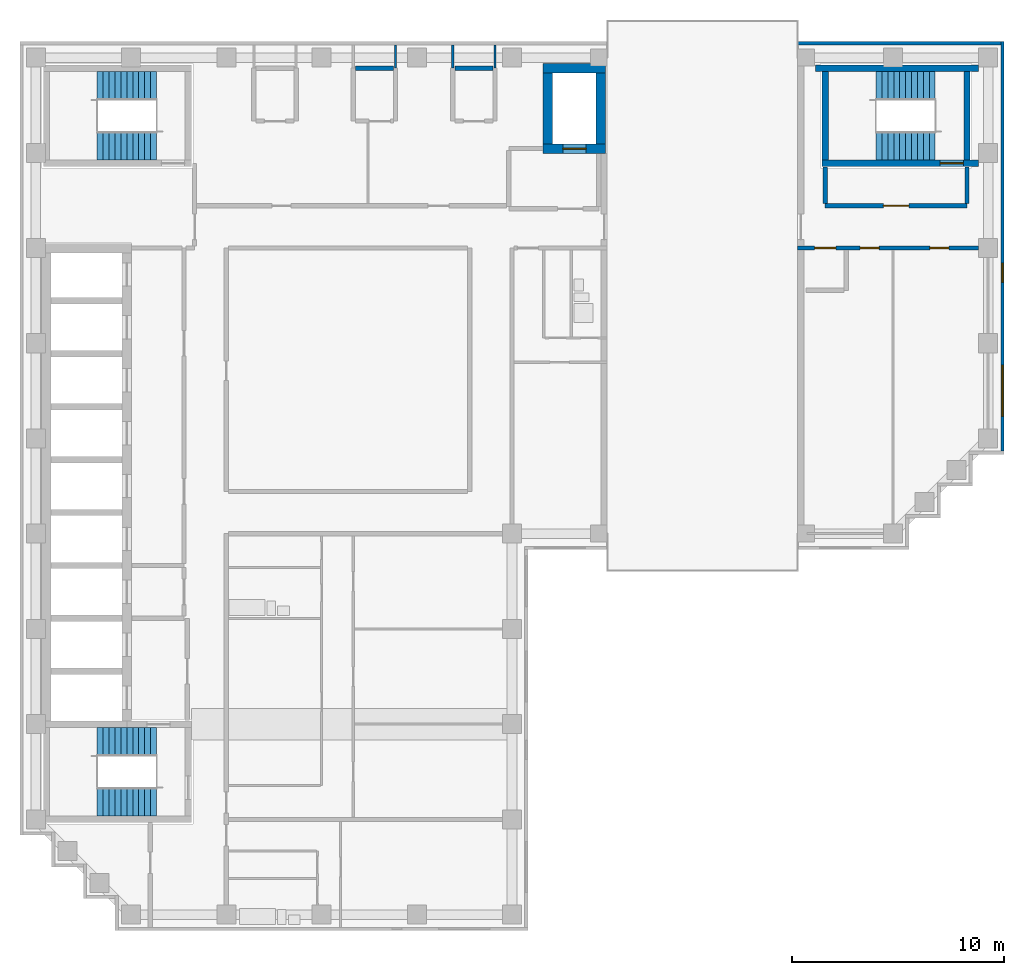
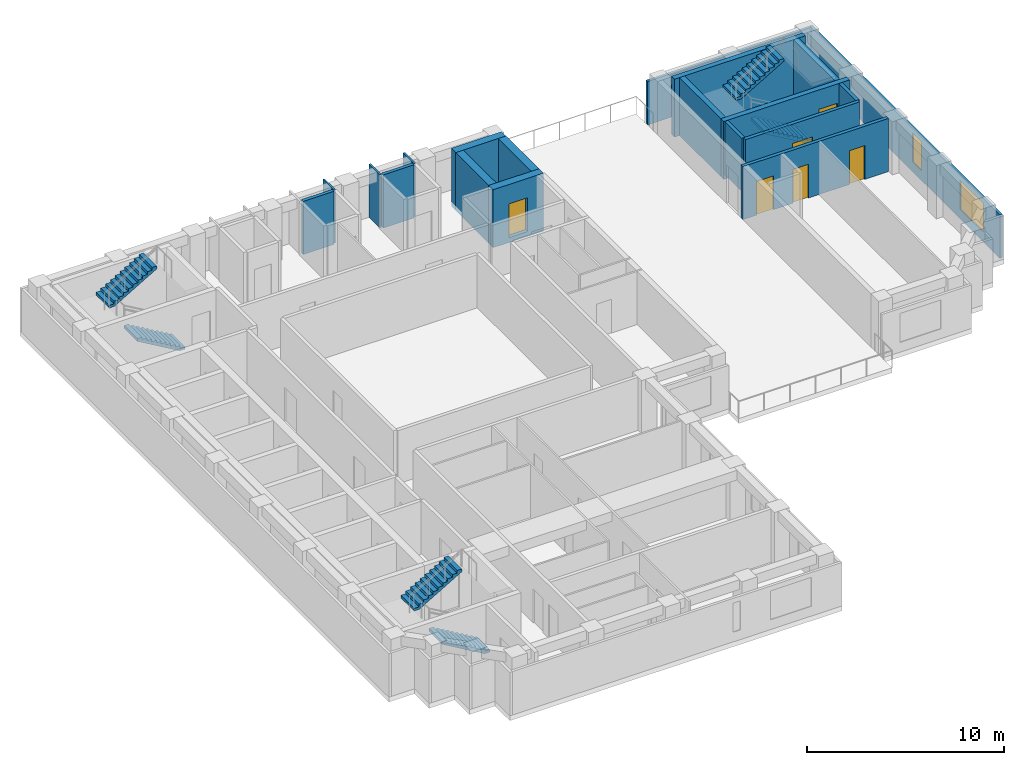
# One storey, part 5 of 7: 19 walls, 6 doors, 6 stair flights, 2 windows, 8 openings, 3 elements without a shape of their own.
"""IFC4 building model written with IfcOpenShell, lengths in metres."""

from ifc_helpers import new_model, si_unit, direction, frame, frame_2d, origin, place, context, subcontext, project, spatial, polyline, rectangle, outline, extrude, material, layer, layer_set, type_object, element, fill, aggregate, save


model = new_model("IFC4")

# Units and contexts
model_context = context("Model", 3, precision=1e-05, world=origin(), true_north=direction((0.0, 1.0)))
body_context = subcontext(model_context, "Body", "Model", "MODEL_VIEW")
ifc_project = project(units=[si_unit("LENGTHUNIT", "METRE"), si_unit("AREAUNIT", "SQUARE_METRE"), si_unit("VOLUMEUNIT", "CUBIC_METRE"), si_unit("PLANEANGLEUNIT", "RADIAN"), si_unit("MASSUNIT", "GRAM", prefix="KILO")], contexts=[model_context])

# Site, building, storey
site_placement = place(None, origin())
site = spatial("IfcSite", under=ifc_project, at=site_placement, CompositionType="ELEMENT")
building_placement = place(site_placement, origin())
building = spatial("IfcBuilding", under=site, at=building_placement, Name="Firuza Court", CompositionType="ELEMENT")
storey_placement = place(building_placement, frame((0.0, 0.0, 240.199951171875)))
storey = spatial("IfcBuildingStorey", under=building, at=storey_placement, Name="L62", CompositionType="ELEMENT", Elevation=240.199951171875)

# Wall
ifc_material_1 = material(Name="Concrete C50/60", Category="concrete")
ifc_layer_1 = layer(ifc_material_1, 0.300048828125)
ifc_layer_set_1 = layer_set([ifc_layer_1], Name="Concrete C50/60")
wall_type_1 = type_object("IfcWallType", Name="Core wall 300 C50/60", PredefinedType="SHEAR", material=ifc_layer_set_1)
wall_1_placement = place(storey_placement, frame((36.85009765625, 58.0, -0.300048828125), z_axis=(0.0, 0.0, 1.0), x_axis=(1.0, 0.0, 0.0)))
element("IfcWall", 1, at=wall_1_placement, inside=storey, type_object=wall_type_1, Name="Core wall stair L62", PredefinedType="SHEAR", context=body_context, shape_type="SweptSolid", body=[
    extrude(rectangle(XDim=7.699951171875, YDim=0.300048828125, at=frame_2d((3.85009765625, 0.0))), origin(), (0.0, 0.0, 1.0), 3.60009765625),
])

# Wall, opening, door
wall_2_placement = place(storey_placement, frame((37.14990234375, 53.5, -0.300048828125), z_axis=(0.0, 0.0, 1.0), x_axis=(1.0, 0.0, 0.0)))
wall_2 = element("IfcWall", 2, at=wall_2_placement, inside=storey, type_object=wall_type_1, Name="Core wall stair L62", PredefinedType="SHEAR", context=body_context, shape_type="SweptSolid", body=[
    extrude(rectangle(XDim=7.400146484375, YDim=0.300048828125, at=frame_2d((3.7001953125, 0.0))), origin(), (0.0, 0.0, 1.0), 3.60009765625),
])
opening_1_placement = place(wall_2_placement, frame((5.580078125, 0.0, 0.300048828125)))
opening_1 = element("IfcOpeningElement", 3, at=opening_1_placement, cuts=wall_2, Name="Opening D62008", PredefinedType="OPENING", context=body_context, shape_type="SweptSolid", body=[
    extrude(rectangle(XDim=1.10009765625, YDim=2.10009765625, at=frame_2d((0.550048828125, 1.050048828125))), frame((0.0, 0.162109375, 0.0), z_axis=(0.0, -1.0, 0.0), x_axis=(1.0, 0.0, 0.0)), (0.0, 0.0, 1.0), 0.323974609375),
])
ifc_material_2 = material(Name="Timber door leaf in hardwood frame", Category="wood")
door_type_1 = type_object("IfcDoorType", Name="Stair door 1100", OperationType="SINGLE_SWING_LEFT", PredefinedType="DOOR", material=ifc_material_2)
door_1_placement = place(opening_1_placement, origin())
door_1 = element("IfcDoor", 4, at=door_1_placement, inside=storey, type_object=door_type_1, Name="Stair door S1", OperationType="SINGLE_SWING_RIGHT", OverallHeight=2.10009765625, OverallWidth=1.10009765625, PredefinedType="DOOR", context=body_context, shape_type="SweptSolid", body=[
    extrude(rectangle(XDim=1.10009765625, YDim=2.10009765625, at=frame_2d((0.550048828125, 1.050048828125))), frame((0.0, 0.02490234375, 0.0), z_axis=(0.0, -1.0, 0.0), x_axis=(1.0, 0.0, 0.0)), (0.0, 0.0, 1.0), 0.050048828125),
])
fill(opening_1, door_1)

# Walls
for number, where, z_axis, x_axis, name in (
    (5, (37.300048828125, 53.64990234375, -0.300048828125), (0.0, 0.0, 1.0), (0.0, 1.0, 0.0), "Core wall stair L62"),
    (6, (44.0, 53.64990234375, -0.300048828125), (0.0, 0.0, 1.0), (0.0, 1.0, 0.0), "Core wall stair L62"),
):
    element("IfcWall", number, at=place(storey_placement, frame(where, z_axis=z_axis, x_axis=x_axis)), inside=storey, type_object=wall_type_1, Name=name, PredefinedType="SHEAR", context=body_context, shape_type="SweptSolid", body=[
        extrude(rectangle(XDim=4.2001953125, YDim=0.300048828125, at=frame_2d((2.10009765625, 0.0))), origin(), (0.0, 0.0, 1.0), 3.60009765625),
    ])

# Wall, opening, door
ifc_layer_2 = layer(ifc_material_1, 0.449951171875)
ifc_layer_set_2 = layer_set([ifc_layer_2], Name="Concrete C50/60")
wall_type_2 = type_object("IfcWallType", Name="Core wall 450 C50/60", PredefinedType="SHEAR", material=ifc_layer_set_2)
wall_3_placement = place(storey_placement, frame((23.97509765625, 54.199951171875, -0.300048828125), z_axis=(0.0, 0.0, 1.0), x_axis=(1.0, 0.0, 0.0)))
wall_3 = element("IfcWall", 7, at=wall_3_placement, inside=storey, type_object=wall_type_2, Name="Core wall lift shaft L62", PredefinedType="SHEAR", context=body_context, shape_type="SweptSolid", body=[
    extrude(rectangle(XDim=2.949951171875, YDim=0.449951171875, at=frame_2d((1.47509765625, 0.0))), origin(), (0.0, 0.0, 1.0), 3.60009765625),
])
opening_2_placement = place(wall_3_placement, frame((0.925048828125, 0.0, 0.300048828125)))
opening_2 = element("IfcOpeningElement", 8, at=opening_2_placement, cuts=wall_3, Name="Opening LD-FL3-62", PredefinedType="OPENING", context=body_context, shape_type="SweptSolid", body=[
    extrude(rectangle(XDim=1.10009765625, YDim=2.10009765625, at=frame_2d((0.550048828125, 1.050048828125))), frame((0.0, 0.23681640625, 0.0), z_axis=(0.0, -1.0, 0.0), x_axis=(1.0, 0.0, 0.0)), (0.0, 0.0, 1.0), 0.473876953125),
])
ifc_material_3 = material(Name="Stainless steel 1.4301 door leaf", Category="steel")
door_type_2 = type_object("IfcDoorType", Name="Lift landing door 1100", OperationType="SLIDING_TO_LEFT", PredefinedType="DOOR", material=ifc_material_3)
door_2_placement = place(opening_2_placement, origin())
door_2 = element("IfcDoor", 9, at=door_2_placement, inside=storey, type_object=door_type_2, Name="Landing door FL3", OperationType="SLIDING_TO_LEFT", OverallHeight=2.10009765625, OverallWidth=1.10009765625, PredefinedType="DOOR", context=body_context, shape_type="SweptSolid", body=[
    extrude(rectangle(XDim=1.10009765625, YDim=2.10009765625, at=frame_2d((0.550048828125, 1.050048828125))), frame((0.0, 0.02490234375, 0.0), z_axis=(0.0, -1.0, 0.0), x_axis=(1.0, 0.0, 0.0)), (0.0, 0.0, 1.0), 0.050048828125),
])
fill(opening_2, door_2)

# Walls
wall_4_placement = place(storey_placement, frame((23.97509765625, 58.0, -0.300048828125), z_axis=(0.0, 0.0, 1.0), x_axis=(1.0, 0.0, 0.0)))
element("IfcWall", 10, at=wall_4_placement, inside=storey, type_object=wall_type_2, Name="Core wall lift shaft L62", PredefinedType="SHEAR", context=body_context, shape_type="SweptSolid", body=[
    extrude(rectangle(XDim=2.949951171875, YDim=0.449951171875, at=frame_2d((1.47509765625, 0.0))), origin(), (0.0, 0.0, 1.0), 3.60009765625),
])
for number, where, z_axis, x_axis, name in (
    (11, (24.199951171875, 54.425048828125, -0.300048828125), (0.0, 0.0, 1.0), (0.0, 1.0, 0.0), "Core wall lift shaft L62"),
    (12, (26.699951171875, 54.425048828125, -0.300048828125), (0.0, 0.0, 1.0), (0.0, 1.0, 0.0), "Core wall lift shaft L62"),
):
    element("IfcWall", number, at=place(storey_placement, frame(where, z_axis=z_axis, x_axis=x_axis)), inside=storey, type_object=wall_type_2, Name=name, PredefinedType="SHEAR", context=body_context, shape_type="SweptSolid", body=[
        extrude(rectangle(XDim=3.349853515625, YDim=0.449951171875, at=frame_2d((1.6748046875, 0.0))), origin(), (0.0, 0.0, 1.0), 3.60009765625),
    ])

# Wall, openings, doors
ifc_material_4 = material(Name="Blockwork, plastered both sides", Category="masonry")
ifc_layer_3 = layer(ifc_material_4, 0.199951171875)
ifc_layer_set_3 = layer_set([ifc_layer_3], Name="Blockwork, plastered both sides")
wall_type_3 = type_object("IfcWallType", Name="Corridor wall 200", PredefinedType="PARTITIONING", material=ifc_layer_set_3)
wall_5_placement = place(storey_placement, frame((36.0, 49.5, 0.0), z_axis=(0.0, 0.0, 1.0), x_axis=(1.0, 0.0, 0.0)))
wall_5 = element("IfcWall", 13, at=wall_5_placement, inside=storey, type_object=wall_type_3, Name="Corridor wall 200 L62", PredefinedType="PARTITIONING", context=body_context, shape_type="SweptSolid", body=[
    extrude(rectangle(XDim=8.550048828125, YDim=0.199951171875, at=frame_2d((4.27490234375, 0.0))), origin(), (0.0, 0.0, 1.0), 3.300048828125),
])
opening_3_placement = place(wall_5_placement, frame((2.949951171875, 0.0, 0.0)))
opening_3 = element("IfcOpeningElement", 14, at=opening_3_placement, cuts=wall_5, Name="Opening D62029", PredefinedType="OPENING", context=body_context, shape_type="SweptSolid", body=[
    extrude(rectangle(XDim=0.89990234375, YDim=2.10009765625, at=frame_2d((0.449951171875, 1.050048828125))), frame((0.0, 0.11181640625, 0.0), z_axis=(0.0, -1.0, 0.0), x_axis=(1.0, 0.0, 0.0)), (0.0, 0.0, 1.0), 0.223876953125),
])
opening_4_placement = place(wall_5_placement, frame((6.25, 0.0, 0.0)))
opening_4 = element("IfcOpeningElement", 15, at=opening_4_placement, cuts=wall_5, Name="Opening D62030", PredefinedType="OPENING", context=body_context, shape_type="SweptSolid", body=[
    extrude(rectangle(XDim=0.89990234375, YDim=2.10009765625, at=frame_2d((0.449951171875, 1.050048828125))), frame((0.0, 0.11181640625, 0.0), z_axis=(0.0, -1.0, 0.0), x_axis=(1.0, 0.0, 0.0)), (0.0, 0.0, 1.0), 0.223876953125),
])
opening_5_placement = place(wall_5_placement, frame((0.800048828125, 0.0, 0.0)))
opening_5 = element("IfcOpeningElement", 16, at=opening_5_placement, cuts=wall_5, Name="Opening D62031", PredefinedType="OPENING", context=body_context, shape_type="SweptSolid", body=[
    extrude(rectangle(XDim=1.0, YDim=2.10009765625, at=frame_2d((0.5, 1.050048828125))), frame((0.0, 0.11181640625, 0.0), z_axis=(0.0, -1.0, 0.0), x_axis=(1.0, 0.0, 0.0)), (0.0, 0.0, 1.0), 0.223876953125),
])
ifc_material_5 = material(Name="Timber door leaf in hardwood frame", Category="wood")
door_type_3 = type_object("IfcDoorType", Name="Riser door 1000", OperationType="SINGLE_SWING_LEFT", PredefinedType="DOOR", material=ifc_material_5)
door_3_placement = place(opening_5_placement, frame((1.0, 0.0, 0.0), z_axis=(0.0, 0.0, 1.0), x_axis=(-1.0, 0.0, 0.0)))
door_3 = element("IfcDoor", 17, at=door_3_placement, inside=storey, type_object=door_type_3, Name="Comms riser door", OperationType="SINGLE_SWING_RIGHT", OverallHeight=2.10009765625, OverallWidth=1.0, PredefinedType="DOOR", context=body_context, shape_type="SweptSolid", body=[
    extrude(rectangle(XDim=1.0, YDim=2.10009765625, at=frame_2d((0.5, 1.050048828125))), frame((0.0, 0.02490234375, 0.0), z_axis=(0.0, -1.0, 0.0), x_axis=(1.0, 0.0, 0.0)), (0.0, 0.0, 1.0), 0.050048828125),
])
fill(opening_5, door_3)
ifc_material_6 = material(Name="Timber door leaf in hardwood frame", Category="wood")
door_type_4 = type_object("IfcDoorType", Name="Room door 900 EI 30", OperationType="SINGLE_SWING_LEFT", PredefinedType="DOOR", material=ifc_material_6)
door_4_placement = place(opening_3_placement, origin())
door_4 = element("IfcDoor", 18, at=door_4_placement, inside=storey, type_object=door_type_4, Name="Sky lounge door", OperationType="SINGLE_SWING_LEFT", OverallHeight=2.10009765625, OverallWidth=0.89990234375, PredefinedType="DOOR", context=body_context, shape_type="SweptSolid", body=[
    extrude(rectangle(XDim=0.89990234375, YDim=2.10009765625, at=frame_2d((0.449951171875, 1.050048828125))), frame((0.0, 0.02490234375, 0.0), z_axis=(0.0, -1.0, 0.0), x_axis=(1.0, 0.0, 0.0)), (0.0, 0.0, 1.0), 0.050048828125),
])
fill(opening_3, door_4)
door_5_placement = place(opening_4_placement, frame((0.89990234375, 0.0, 0.0), z_axis=(0.0, 0.0, 1.0), x_axis=(-1.0, 0.0, 0.0)))
door_5 = element("IfcDoor", 19, at=door_5_placement, inside=storey, type_object=door_type_4, Name="Meeting room door", OperationType="SINGLE_SWING_LEFT", OverallHeight=2.10009765625, OverallWidth=0.89990234375, PredefinedType="DOOR", context=body_context, shape_type="SweptSolid", body=[
    extrude(rectangle(XDim=0.89990234375, YDim=2.10009765625, at=frame_2d((0.449951171875, 1.050048828125))), frame((0.0, 0.02490234375, 0.0), z_axis=(0.0, -1.0, 0.0), x_axis=(1.0, 0.0, 0.0)), (0.0, 0.0, 1.0), 0.050048828125),
])
fill(opening_4, door_5)

# Walls
ifc_material_7 = material(Name="Timber stud partition, plasterboard both sides", Category="wood")
ifc_layer_4 = layer(ifc_material_7, 0.10009765625)
ifc_layer_set_4 = layer_set([ifc_layer_4], Name="Timber stud partition, plasterboard both sides")
wall_type_4 = type_object("IfcWallType", Name="Partition wall 100", PredefinedType="PARTITIONING", material=ifc_layer_set_4)
for number, where, z_axis, x_axis, name in (
    (20, (17.0, 58.0, 0.0), (0.0, 0.0, 1.0), (0.0, 1.0, 0.0), "Partition wall 100 L62"),
    (21, (19.699951171875, 58.0, 0.0), (0.0, 0.0, 1.0), (0.0, 1.0, 0.0), "Partition wall 100 L62"),
    (22, (21.699951171875, 58.0, 0.0), (0.0, 0.0, 1.0), (0.0, 1.0, 0.0), "Partition wall 100 L62"),
):
    element("IfcWall", number, at=place(storey_placement, frame(where, z_axis=z_axis, x_axis=x_axis)), inside=storey, type_object=wall_type_4, Name=name, PredefinedType="PARTITIONING", context=body_context, shape_type="SweptSolid", body=[
        extrude(rectangle(XDim=1.10009765625, YDim=0.10009765625, at=frame_2d((0.550048828125, 0.0))), origin(), (0.0, 0.0, 1.0), 3.300048828125),
    ])
ifc_material_8 = material(Name="Blockwork, fire-rated", Category="masonry")
ifc_layer_5 = layer(ifc_material_8, 0.199951171875)
ifc_layer_set_5 = layer_set([ifc_layer_5], Name="Blockwork, fire-rated")
wall_type_5 = type_object("IfcWallType", Name="Plant room wall 200", PredefinedType="PARTITIONING", material=ifc_layer_set_5)
wall_6_placement = place(storey_placement, frame((15.10009765625, 58.0, 0.0), z_axis=(0.0, 0.0, 1.0), x_axis=(1.0, 0.0, 0.0)))
element("IfcWall", 23, at=wall_6_placement, inside=storey, type_object=wall_type_5, Name="Plant room wall 200 L62", PredefinedType="PARTITIONING", context=body_context, shape_type="SweptSolid", body=[
    extrude(rectangle(XDim=1.7998046875, YDim=0.199951171875, at=frame_2d((0.89990234375, 0.0))), origin(), (0.0, 0.0, 1.0), 3.300048828125),
])
wall_7_placement = place(storey_placement, frame((19.800048828125, 58.0, 0.0), z_axis=(0.0, 0.0, 1.0), x_axis=(1.0, 0.0, 0.0)))
element("IfcWall", 24, at=wall_7_placement, inside=storey, type_object=wall_type_5, Name="Plant room wall 200 L62", PredefinedType="PARTITIONING", context=body_context, shape_type="SweptSolid", body=[
    extrude(rectangle(XDim=1.800048828125, YDim=0.199951171875, at=frame_2d((0.89990234375, 0.0))), origin(), (0.0, 0.0, 1.0), 3.300048828125),
])

# Wall, openings, windows
ifc_material_9 = material(Name="Ceramic tile", Category="ceramic")
ifc_layer_6 = layer(ifc_material_9, 0.02001953125)
ifc_material_10 = material(Name="Mineral wool insulation", Category="insulation")
ifc_layer_7 = layer(ifc_material_10, 0.050048828125)
ifc_material_11 = material(Name="Concrete C40/50 precast", Category="concrete")
ifc_layer_8 = layer(ifc_material_11, 0.080078125)
ifc_layer_set_6 = layer_set([ifc_layer_6, ifc_layer_7, ifc_layer_8], Name="Concrete C40/50 precast")
wall_type_6 = type_object("IfcWallType", Name="Precast cladding wall with turquoise TILE PANEL face 150", PredefinedType="STANDARD", material=ifc_layer_set_6)
wall_8_placement = place(storey_placement, frame((45.675048828125, 39.89990234375, 0.0), z_axis=(0.0, 0.0, 1.0), x_axis=(0.0, 1.0, 0.0)))
wall_8 = element("IfcWall", 25, at=wall_8_placement, inside=storey, type_object=wall_type_6, Name="Facade wall L62 E", PredefinedType="STANDARD", context=body_context, shape_type="SweptSolid", body=[
    extrude(rectangle(XDim=19.35009765625, YDim=0.14990234375, at=frame_2d((9.675048828125, 0.0))), origin(), (0.0, 0.0, 1.0), 2.699951171875),
])
opening_6_placement = place(wall_8_placement, frame((1.64990234375, 0.0, 0.60009765625)))
opening_6 = element("IfcOpeningElement", 26, at=opening_6_placement, cuts=wall_8, Name="Opening W1", PredefinedType="OPENING", context=body_context, shape_type="SweptSolid", body=[
    extrude(rectangle(XDim=2.39990234375, YDim=1.800048828125, at=frame_2d((1.199951171875, 0.89990234375))), frame((0.0, 0.0869140625, 0.0), z_axis=(0.0, -1.0, 0.0), x_axis=(1.0, 0.0, 0.0)), (0.0, 0.0, 1.0), 0.173828125),
])
opening_7_placement = place(wall_8_placement, frame((7.975830078125, 0.0, 0.60009765625)))
opening_7 = element("IfcOpeningElement", 27, at=opening_7_placement, cuts=wall_8, Name="Opening W3", PredefinedType="OPENING", context=body_context, shape_type="SweptSolid", body=[
    extrude(rectangle(XDim=0.89990234375, YDim=1.800048828125, at=frame_2d((0.449951171875, 0.89990234375))), frame((0.0, 0.0869140625, 0.0), z_axis=(0.0, -1.0, 0.0), x_axis=(1.0, 0.0, 0.0)), (0.0, 0.0, 1.0), 0.173828125),
])
ifc_material_12 = material(Name="Aluminium frame, triple clear glazing", Category="aluminium")
window_type_1 = type_object("IfcWindowType", Name="Window W1 2400 x 1800", PartitioningType="SINGLE_PANEL", PredefinedType="WINDOW", material=ifc_material_12)
window_1_placement = place(opening_6_placement, origin())
window_1 = element("IfcWindow", 28, at=window_1_placement, inside=storey, type_object=window_type_1, Name="Window L62", OverallHeight=1.800048828125, OverallWidth=2.39990234375, PartitioningType="SINGLE_PANEL", PredefinedType="WINDOW", context=body_context, shape_type="SweptSolid", body=[
    extrude(rectangle(XDim=2.39990234375, YDim=1.800048828125, at=frame_2d((1.199951171875, 0.89990234375))), frame((0.0, 0.030029296875, 0.0), z_axis=(0.0, -1.0, 0.0), x_axis=(1.0, 0.0, 0.0)), (0.0, 0.0, 1.0), 0.06005859375),
])
fill(opening_6, window_1)
ifc_material_13 = material(Name="Aluminium frame, triple clear glazing", Category="aluminium")
window_type_2 = type_object("IfcWindowType", Name="Window W3 900 x 1800", PartitioningType="SINGLE_PANEL", PredefinedType="WINDOW", material=ifc_material_13)
window_2_placement = place(opening_7_placement, origin())
window_2 = element("IfcWindow", 29, at=window_2_placement, inside=storey, type_object=window_type_2, Name="Window L62", OverallHeight=1.800048828125, OverallWidth=0.89990234375, PartitioningType="SINGLE_PANEL", PredefinedType="WINDOW", context=body_context, shape_type="SweptSolid", body=[
    extrude(rectangle(XDim=0.89990234375, YDim=1.800048828125, at=frame_2d((0.449951171875, 0.89990234375))), frame((0.0, 0.030029296875, 0.0), z_axis=(0.0, -1.0, 0.0), x_axis=(1.0, 0.0, 0.0)), (0.0, 0.0, 1.0), 0.06005859375),
])
fill(opening_7, window_2)

# Wall
wall_9_placement = place(storey_placement, frame((45.60009765625, 59.175048828125, 0.0), z_axis=(0.0, 0.0, 1.0), x_axis=(-1.0, 0.0, 0.0)))
element("IfcWall", 30, at=wall_9_placement, inside=storey, type_object=wall_type_6, Name="Facade wall L62 N", PredefinedType="STANDARD", context=body_context, shape_type="SweptSolid", body=[
    extrude(rectangle(XDim=9.60009765625, YDim=0.14990234375, at=frame_2d((4.800048828125, 0.0))), origin(), (0.0, 0.0, 1.0), 2.699951171875),
])

# Wall, opening, door
ifc_layer_9 = layer(ifc_material_8, 0.199951171875)
ifc_layer_set_7 = layer_set([ifc_layer_9], Name="Blockwork, fire-rated")
wall_type_7 = type_object("IfcWallType", Name="Shaft wall 200", PredefinedType="PARTITIONING", material=ifc_layer_set_7)
wall_10_placement = place(storey_placement, frame((37.300048828125, 51.5, 0.0), z_axis=(0.0, 0.0, 1.0), x_axis=(1.0, 0.0, 0.0)))
wall_10 = element("IfcWall", 31, at=wall_10_placement, inside=storey, type_object=wall_type_7, Name="Shaft wall 200 L62", PredefinedType="PARTITIONING", context=body_context, shape_type="SweptSolid", body=[
    extrude(rectangle(XDim=6.699951171875, YDim=0.199951171875, at=frame_2d((3.35009765625, 0.0))), origin(), (0.0, 0.0, 1.0), 3.300048828125),
])
opening_8_placement = place(wall_10_placement, frame((2.75, 0.0, 0.0)))
opening_8 = element("IfcOpeningElement", 32, at=opening_8_placement, cuts=wall_10, Name="Opening D62006", PredefinedType="OPENING", context=body_context, shape_type="SweptSolid", body=[
    extrude(rectangle(XDim=1.199951171875, YDim=2.10009765625, at=frame_2d((0.60009765625, 1.050048828125))), frame((0.0, 0.11181640625, 0.0), z_axis=(0.0, -1.0, 0.0), x_axis=(1.0, 0.0, 0.0)), (0.0, 0.0, 1.0), 0.223876953125),
])
ifc_material_14 = material(Name="Timber door leaf in hardwood frame", Category="wood")
door_type_5 = type_object("IfcDoorType", Name="Lobby door 1200", OperationType="SINGLE_SWING_LEFT", PredefinedType="DOOR", material=ifc_material_14)
door_6_placement = place(opening_8_placement, origin())
door_6 = element("IfcDoor", 33, at=door_6_placement, inside=storey, type_object=door_type_5, Name="Lobby door", OperationType="SINGLE_SWING_LEFT", OverallHeight=2.10009765625, OverallWidth=1.199951171875, PredefinedType="DOOR", context=body_context, shape_type="SweptSolid", body=[
    extrude(rectangle(XDim=1.199951171875, YDim=2.10009765625, at=frame_2d((0.60009765625, 1.050048828125))), frame((0.0, 0.02490234375, 0.0), z_axis=(0.0, -1.0, 0.0), x_axis=(1.0, 0.0, 0.0)), (0.0, 0.0, 1.0), 0.050048828125),
])
fill(opening_8, door_6)

# Walls
for number, where, z_axis, x_axis, name in (
    (34, (44.0, 51.60009765625, 0.0), (0.0, 0.0, 1.0), (0.0, 1.0, 0.0), "Shaft wall 200 L62"),
    (35, (37.300048828125, 51.60009765625, 0.0), (0.0, 0.0, 1.0), (0.0, 1.0, 0.0), "Shaft wall 200 L62"),
):
    element("IfcWall", number, at=place(storey_placement, frame(where, z_axis=z_axis, x_axis=x_axis)), inside=storey, type_object=wall_type_7, Name=name, PredefinedType="PARTITIONING", context=body_context, shape_type="SweptSolid", body=[
        extrude(rectangle(XDim=1.72998046875, YDim=0.199951171875, at=frame_2d((0.864990234375, 0.0))), origin(), (0.0, 0.0, 1.0), 3.300048828125),
    ])

# Stair, stair flights
ifc_material_15 = material(Name="Concrete C40/50 precast", Category="concrete")
stair_type = type_object("IfcStairType", Name="Stair 1350 x 3600 2 flights", PredefinedType="HALF_TURN_STAIR", material=ifc_material_15)
stair_1_placement = place(storey_placement, origin())
stair_1 = element("IfcStair", 36, at=stair_1_placement, inside=storey, type_object=stair_type, Name="Stair 1 L62", PredefinedType="HALF_TURN_STAIR")
ifc_material_16 = material(Name="Concrete C40/50 precast", Category="concrete")
stair_flight_type = type_object("IfcStairFlightType", Name="Flight 1350 riser 163.6", PredefinedType="STRAIGHT", material=ifc_material_16)
stair_flight_1_placement = place(storey_placement, frame((42.5, 54.324951171875, 0.0), z_axis=(0.0, 0.0, 1.0), x_axis=(-1.0, 0.0, 0.0)))
stair_flight_1 = element("IfcStairFlight", 37, at=stair_flight_1_placement, type_object=stair_flight_type, Name="S1 flight 1", NumberOfRisers=11, NumberOfTreads=10, PredefinedType="STRAIGHT", RiserHeight=0.163636364, TreadLength=0.28, context=body_context, shape_type="SweptSolid", body=[
    extrude(outline(polyline([(0.0, 0.0), (0.0, 0.16357421875), (0.280029296875, 0.16357421875), (0.280029296875, 0.327392578125), (0.56005859375, 0.327392578125), (0.56005859375, 0.490966796875), (0.840087890625, 0.490966796875), (0.840087890625, 0.654541015625), (1.1201171875, 0.654541015625), (1.1201171875, 0.818115234375), (1.39990234375, 0.818115234375), (1.39990234375, 0.98193359375), (1.679931640625, 0.98193359375), (1.679931640625, 1.1455078125), (1.9599609375, 1.1455078125), (1.9599609375, 1.30908203125), (2.239990234375, 1.30908203125), (2.239990234375, 1.47265625), (2.52001953125, 1.47265625), (2.52001953125, 1.636474609375), (2.800048828125, 1.636474609375), (2.800048828125, 1.800048828125), (2.800048828125, 1.462646484375), (0.297119140625, 0.0), (0.0, 0.0)])), frame((0.0, 0.675048828125, 0.0), z_axis=(0.0, -1.0, 0.0), x_axis=(1.0, 0.0, 0.0)), (0.0, 0.0, 1.0), 1.35009765625),
])
stair_flight_2_placement = place(storey_placement, frame((39.699951171875, 57.175048828125, 1.800048828125), z_axis=(0.0, 0.0, 1.0), x_axis=(1.0, 0.0, 0.0)))
stair_flight_2 = element("IfcStairFlight", 38, at=stair_flight_2_placement, type_object=stair_flight_type, Name="S1 flight 2", NumberOfRisers=11, NumberOfTreads=10, PredefinedType="STRAIGHT", RiserHeight=0.163636364, TreadLength=0.28, context=body_context, shape_type="SweptSolid", body=[
    extrude(outline(polyline([(0.0, 0.0), (0.0, 0.16357421875), (0.280029296875, 0.16357421875), (0.280029296875, 0.327392578125), (0.56005859375, 0.327392578125), (0.56005859375, 0.490966796875), (0.840087890625, 0.490966796875), (0.840087890625, 0.654541015625), (1.1201171875, 0.654541015625), (1.1201171875, 0.818115234375), (1.39990234375, 0.818115234375), (1.39990234375, 0.98193359375), (1.679931640625, 0.98193359375), (1.679931640625, 1.1455078125), (1.9599609375, 1.1455078125), (1.9599609375, 1.30908203125), (2.239990234375, 1.30908203125), (2.239990234375, 1.47265625), (2.52001953125, 1.47265625), (2.52001953125, 1.636474609375), (2.800048828125, 1.636474609375), (2.800048828125, 1.800048828125), (2.800048828125, 1.462646484375), (0.297119140625, 0.0), (0.0, 0.0)])), frame((0.0, 0.675048828125, 0.0), z_axis=(0.0, -1.0, 0.0), x_axis=(1.0, 0.0, 0.0)), (0.0, 0.0, 1.0), 1.35009765625),
])
aggregate(stair_1, [stair_flight_1, stair_flight_2])

stair_2_placement = place(storey_placement, origin())
stair_2 = element("IfcStair", 39, at=stair_2_placement, inside=storey, type_object=stair_type, Name="Stair 2 L62", PredefinedType="HALF_TURN_STAIR")
stair_flight_3_placement = place(storey_placement, frame((5.699951171875, 23.324951171875, 0.0), z_axis=(0.0, 0.0, 1.0), x_axis=(-1.0, 0.0, 0.0)))
stair_flight_3 = element("IfcStairFlight", 40, at=stair_flight_3_placement, type_object=stair_flight_type, Name="S2 flight 1", NumberOfRisers=11, NumberOfTreads=10, PredefinedType="STRAIGHT", RiserHeight=0.163636364, TreadLength=0.28, context=body_context, shape_type="SweptSolid", body=[
    extrude(outline(polyline([(0.0, 0.0), (0.0, 0.16357421875), (0.280029296875, 0.16357421875), (0.280029296875, 0.327392578125), (0.56005859375, 0.327392578125), (0.56005859375, 0.490966796875), (0.840087890625, 0.490966796875), (0.840087890625, 0.654541015625), (1.1201171875, 0.654541015625), (1.1201171875, 0.818115234375), (1.39990234375, 0.818115234375), (1.39990234375, 0.98193359375), (1.679931640625, 0.98193359375), (1.679931640625, 1.1455078125), (1.9599609375, 1.1455078125), (1.9599609375, 1.30908203125), (2.239990234375, 1.30908203125), (2.239990234375, 1.47265625), (2.52001953125, 1.47265625), (2.52001953125, 1.636474609375), (2.800048828125, 1.636474609375), (2.800048828125, 1.800048828125), (2.800048828125, 1.462646484375), (0.297119140625, 0.0), (0.0, 0.0)])), frame((0.0, 0.675048828125, 0.0), z_axis=(0.0, -1.0, 0.0), x_axis=(1.0, 0.0, 0.0)), (0.0, 0.0, 1.0), 1.35009765625),
])
stair_flight_4_placement = place(storey_placement, frame((2.89990234375, 26.175048828125, 1.800048828125), z_axis=(0.0, 0.0, 1.0), x_axis=(1.0, 0.0, 0.0)))
stair_flight_4 = element("IfcStairFlight", 41, at=stair_flight_4_placement, type_object=stair_flight_type, Name="S2 flight 2", NumberOfRisers=11, NumberOfTreads=10, PredefinedType="STRAIGHT", RiserHeight=0.163636364, TreadLength=0.28, context=body_context, shape_type="SweptSolid", body=[
    extrude(outline(polyline([(0.0, 0.0), (0.0, 0.16357421875), (0.280029296875, 0.16357421875), (0.280029296875, 0.327392578125), (0.56005859375, 0.327392578125), (0.56005859375, 0.490966796875), (0.840087890625, 0.490966796875), (0.840087890625, 0.654541015625), (1.1201171875, 0.654541015625), (1.1201171875, 0.818115234375), (1.39990234375, 0.818115234375), (1.39990234375, 0.98193359375), (1.679931640625, 0.98193359375), (1.679931640625, 1.1455078125), (1.9599609375, 1.1455078125), (1.9599609375, 1.30908203125), (2.239990234375, 1.30908203125), (2.239990234375, 1.47265625), (2.52001953125, 1.47265625), (2.52001953125, 1.636474609375), (2.800048828125, 1.636474609375), (2.800048828125, 1.800048828125), (2.800048828125, 1.462646484375), (0.297119140625, 0.0), (0.0, 0.0)])), frame((0.0, 0.675048828125, 0.0), z_axis=(0.0, -1.0, 0.0), x_axis=(1.0, 0.0, 0.0)), (0.0, 0.0, 1.0), 1.35009765625),
])
aggregate(stair_2, [stair_flight_3, stair_flight_4])

stair_3_placement = place(storey_placement, origin())
stair_3 = element("IfcStair", 42, at=stair_3_placement, inside=storey, type_object=stair_type, Name="Stair 3 L62", PredefinedType="HALF_TURN_STAIR")
stair_flight_5_placement = place(storey_placement, frame((5.699951171875, 54.324951171875, 0.0), z_axis=(0.0, 0.0, 1.0), x_axis=(-1.0, 0.0, 0.0)))
stair_flight_5 = element("IfcStairFlight", 43, at=stair_flight_5_placement, type_object=stair_flight_type, Name="S3 flight 1", NumberOfRisers=11, NumberOfTreads=10, PredefinedType="STRAIGHT", RiserHeight=0.163636364, TreadLength=0.28, context=body_context, shape_type="SweptSolid", body=[
    extrude(outline(polyline([(0.0, 0.0), (0.0, 0.16357421875), (0.280029296875, 0.16357421875), (0.280029296875, 0.327392578125), (0.56005859375, 0.327392578125), (0.56005859375, 0.490966796875), (0.840087890625, 0.490966796875), (0.840087890625, 0.654541015625), (1.1201171875, 0.654541015625), (1.1201171875, 0.818115234375), (1.39990234375, 0.818115234375), (1.39990234375, 0.98193359375), (1.679931640625, 0.98193359375), (1.679931640625, 1.1455078125), (1.9599609375, 1.1455078125), (1.9599609375, 1.30908203125), (2.239990234375, 1.30908203125), (2.239990234375, 1.47265625), (2.52001953125, 1.47265625), (2.52001953125, 1.636474609375), (2.800048828125, 1.636474609375), (2.800048828125, 1.800048828125), (2.800048828125, 1.462646484375), (0.297119140625, 0.0), (0.0, 0.0)])), frame((0.0, 0.675048828125, 0.0), z_axis=(0.0, -1.0, 0.0), x_axis=(1.0, 0.0, 0.0)), (0.0, 0.0, 1.0), 1.35009765625),
])
stair_flight_6_placement = place(storey_placement, frame((2.89990234375, 57.175048828125, 1.800048828125), z_axis=(0.0, 0.0, 1.0), x_axis=(1.0, 0.0, 0.0)))
stair_flight_6 = element("IfcStairFlight", 44, at=stair_flight_6_placement, type_object=stair_flight_type, Name="S3 flight 2", NumberOfRisers=11, NumberOfTreads=10, PredefinedType="STRAIGHT", RiserHeight=0.163636364, TreadLength=0.28, context=body_context, shape_type="SweptSolid", body=[
    extrude(outline(polyline([(0.0, 0.0), (0.0, 0.16357421875), (0.280029296875, 0.16357421875), (0.280029296875, 0.327392578125), (0.56005859375, 0.327392578125), (0.56005859375, 0.490966796875), (0.840087890625, 0.490966796875), (0.840087890625, 0.654541015625), (1.1201171875, 0.654541015625), (1.1201171875, 0.818115234375), (1.39990234375, 0.818115234375), (1.39990234375, 0.98193359375), (1.679931640625, 0.98193359375), (1.679931640625, 1.1455078125), (1.9599609375, 1.1455078125), (1.9599609375, 1.30908203125), (2.239990234375, 1.30908203125), (2.239990234375, 1.47265625), (2.52001953125, 1.47265625), (2.52001953125, 1.636474609375), (2.800048828125, 1.636474609375), (2.800048828125, 1.800048828125), (2.800048828125, 1.462646484375), (0.297119140625, 0.0), (0.0, 0.0)])), frame((0.0, 0.675048828125, 0.0), z_axis=(0.0, -1.0, 0.0), x_axis=(1.0, 0.0, 0.0)), (0.0, 0.0, 1.0), 1.35009765625),
])
aggregate(stair_3, [stair_flight_5, stair_flight_6])

save(model, "model.ifc")
